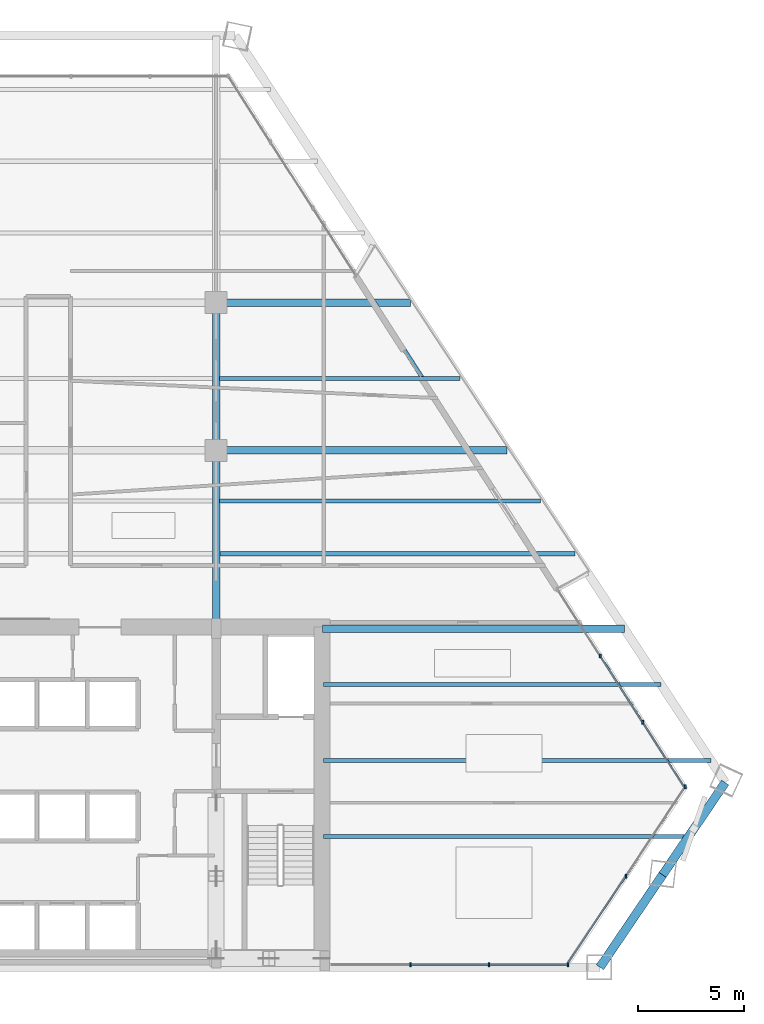
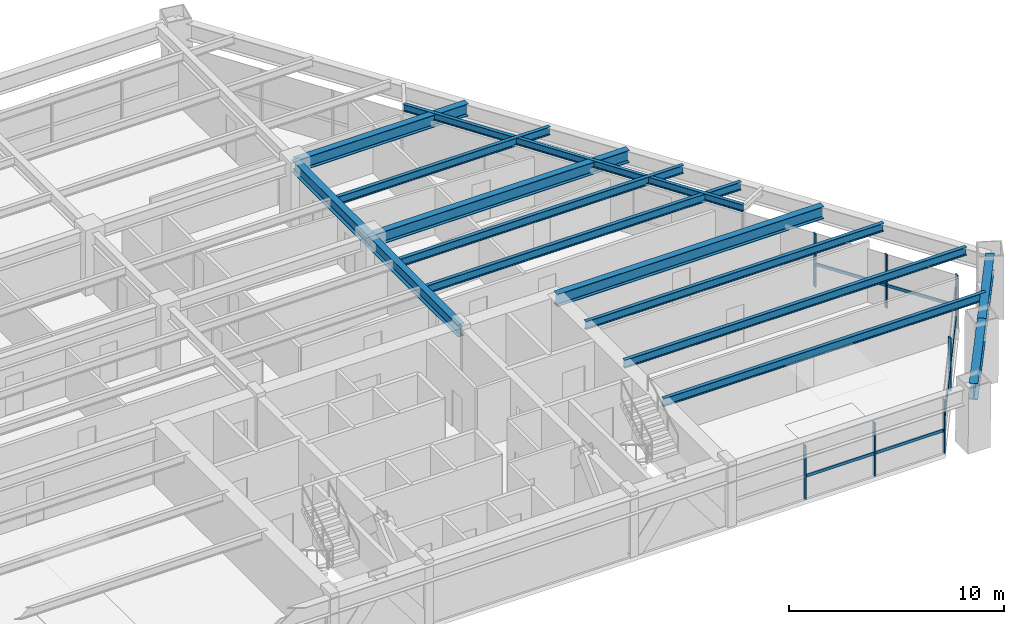
# One storey, part 6 of 14: 14 beams, 13 members, 3 elements without a shape of their own.
"""IFC4 building model written with IfcOpenShell, lengths in metres."""

from ifc_helpers import new_model, si_unit, direction, frame, origin, origin_2d, place, context, subcontext, project, spatial, rectangle, i_section, extrude, source, transform, mapped, material, material_profile, profile_set, type_object, type_shapes, element, aggregate, save


model = new_model("IFC4")

# Units and contexts
model_context = context("Model", 3, precision=1e-05, world=origin(), true_north=direction((0.0, 1.0)))
body_context = subcontext(model_context, "Body", "Model", "MODEL_VIEW")
ifc_project = project(units=[si_unit("LENGTHUNIT", "METRE"), si_unit("AREAUNIT", "SQUARE_METRE"), si_unit("VOLUMEUNIT", "CUBIC_METRE"), si_unit("PLANEANGLEUNIT", "RADIAN"), si_unit("MASSUNIT", "GRAM", prefix="KILO")], contexts=[model_context])

# Site, building, storey
site_placement = place(None, origin())
site = spatial("IfcSite", under=ifc_project, at=site_placement, CompositionType="ELEMENT")
building_placement = place(site_placement, origin())
building = spatial("IfcBuilding", under=site, at=building_placement, Name="Varnakhor Terracotta Tower", CompositionType="ELEMENT")
storey_placement = place(building_placement, frame((0.0, 0.0, 113.60009765625)))
storey = spatial("IfcBuildingStorey", under=building, at=storey_placement, Name="L28", CompositionType="ELEMENT", Elevation=113.60009765625)

# Beams
ifc_material_1 = material(Name="Steel S355", Category="steel")
ifc_material_profile_1 = material_profile(ifc_material_1, i_section(OverallWidth=0.35498046875, OverallDepth=0.695068359375, WebThickness=0.014892578125, FlangeThickness=0.02490234375, FilletRadius=0.01806640625, at=origin_2d()), Name="W27X146")
ifc_profile_set_1 = profile_set([ifc_material_profile_1], Name="Steel S355")
beam_type_1 = type_object("IfcBeamType", Name="BM-W27X146", PredefinedType="BEAM", material=ifc_profile_set_1)
shared_shape_1 = source(origin(), body_context, "Body", "SweptSolid", [
    extrude(i_section(OverallWidth=0.35498046875, OverallDepth=0.695068359375, WebThickness=0.014892578125, FlangeThickness=0.02490234375, FilletRadius=0.01806640625, at=origin_2d()), origin(), (0.0, 0.0, 1.0), 8.449951171875),
])
type_shapes(beam_type_1, [shared_shape_1])
beam_1_placement = place(storey_placement, frame((5.5, 16.050048828125, 3.102294921875), z_axis=(0.0, 1.0, 0.0), x_axis=(-1.0, 0.0, 0.0)))
element("IfcBeam", 1, at=beam_1_placement, inside=storey, type_object=beam_type_1, Name="L28 Primary Girder NS1-E", PredefinedType="BEAM", context=body_context, shape_type="MappedRepresentation", body=[
    mapped(shared_shape_1, transform((0.0, 0.0, 0.0), scale=1.0)),
])
shared_shape_2 = source(origin(), body_context, "Body", "SweptSolid", [
    extrude(i_section(OverallWidth=0.35498046875, OverallDepth=0.695068359375, WebThickness=0.014892578125, FlangeThickness=0.02490234375, FilletRadius=0.01806640625, at=origin_2d()), origin(), (0.0, 0.0, 1.0), 7.0),
])
beam_2_placement = place(storey_placement, frame((5.5, 24.5, 3.102294921875), z_axis=(0.0, 1.0, 0.0), x_axis=(-1.0, 0.0, 0.0)))
element("IfcBeam", 2, at=beam_2_placement, inside=storey, type_object=beam_type_1, Name="L28 Primary Girder NS2-E", PredefinedType="BEAM", context=body_context, shape_type="MappedRepresentation", body=[
    mapped(shared_shape_2, transform((0.0, 0.0, 0.0), scale=1.0)),
])
ifc_material_profile_2 = material_profile(ifc_material_1, i_section(OverallWidth=0.41796875, OverallDepth=0.927001953125, WebThickness=0.01904296875, FlangeThickness=0.031982421875, FilletRadius=0.01806640625, at=origin_2d()), Name="W36X231")
ifc_profile_set_2 = profile_set([ifc_material_profile_2], Name="Steel S355")
beam_type_2 = type_object("IfcBeamType", Name="BM-W36X231", PredefinedType="BEAM", material=ifc_profile_set_2)
shared_shape_3 = source(origin(), body_context, "Body", "SweptSolid", [
    extrude(i_section(OverallWidth=0.41796875, OverallDepth=0.927001953125, WebThickness=0.01904296875, FlangeThickness=0.031982421875, FilletRadius=0.01806640625, at=origin_2d()), origin(), (0.0, 0.0, 1.0), 5.2919921875),
])
for number, where, z_axis, x_axis, name in (
    (3, (23.689208984375, 0.0, 2.986328125), (0.561209193584, 0.827673994418, 0.0), (-0.827673994418, 0.561209193584, 0.0), "L28 Perimeter Spandrel 2"),
    (4, (26.6591796875, 4.380126953125, 2.986328125), (0.561177589141, 0.827695423115, 0.0), (-0.827695423115, 0.561177589141, 0.0), "L28 Perimeter Spandrel 3"),
):
    element("IfcBeam", number, at=place(storey_placement, frame(where, z_axis=z_axis, x_axis=x_axis)), inside=storey, type_object=beam_type_2, Name=name, PredefinedType="BEAM", context=body_context, shape_type="MappedRepresentation", body=[
        mapped(shared_shape_3, transform((0.0, 0.0, 0.0), scale=1.0)),
    ])
ifc_material_profile_3 = material_profile(ifc_material_1, i_section(OverallWidth=0.179931640625, OverallDepth=0.39990234375, WebThickness=0.008544921875, FlangeThickness=0.013427734375, FilletRadius=0.01806640625, at=origin_2d()), Name="IPE400")
ifc_profile_set_3 = profile_set([ifc_material_profile_3], Name="Steel S355")
beam_type_3 = type_object("IfcBeamType", Name="JST-IPE400", PredefinedType="JOIST", material=ifc_profile_set_3)
shared_shape_4 = source(origin(), body_context, "Body", "SweptSolid", [
    extrude(i_section(OverallWidth=0.179931640625, OverallDepth=0.39990234375, WebThickness=0.008544921875, FlangeThickness=0.013427734375, FilletRadius=0.01806640625, at=origin_2d()), origin(), (0.0, 0.0, 1.0), 17.7421875),
])
beam_3_placement = place(storey_placement, frame((21.69970703125, 17.91064453125, 3.25), z_axis=(-0.539618599687, 0.841909595427, 0.0), x_axis=(-0.841909595427, -0.539618599687, 0.0)))
element("IfcBeam", 5, at=beam_3_placement, inside=storey, type_object=beam_type_3, Name="L28 Loggia Edge Beam 1", PredefinedType="JOIST", context=body_context, shape_type="MappedRepresentation", body=[
    mapped(shared_shape_4, transform((0.0, 0.0, 0.0), scale=1.0)),
])
shared_shape_5 = source(origin(), body_context, "Body", "SweptSolid", [
    extrude(i_section(OverallWidth=0.35498046875, OverallDepth=0.695068359375, WebThickness=0.014892578125, FlangeThickness=0.02490234375, FilletRadius=0.01806640625, at=origin_2d()), origin(), (0.0, 0.0, 1.0), 14.29345703125),
])
beam_4_placement = place(storey_placement, frame((10.550048828125, 16.050048828125, 3.102294921875), z_axis=(1.0, 0.0, 0.0), x_axis=(0.0, 1.0, 0.0)))
element("IfcBeam", 6, at=beam_4_placement, inside=storey, type_object=beam_type_1, Name="L28 Wing Girder E", PredefinedType="BEAM", context=body_context, shape_type="MappedRepresentation", body=[
    mapped(shared_shape_5, transform((0.0, 0.0, 0.0), scale=1.0)),
])
shared_shape_6 = source(origin(), body_context, "Body", "SweptSolid", [
    extrude(i_section(OverallWidth=0.35498046875, OverallDepth=0.695068359375, WebThickness=0.014892578125, FlangeThickness=0.02490234375, FilletRadius=0.01806640625, at=origin_2d()), origin(), (0.0, 0.0, 1.0), 13.796630859375),
])
beam_5_placement = place(storey_placement, frame((5.5, 24.5, 3.102294921875), z_axis=(1.0, 0.0, 0.0), x_axis=(0.0, 1.0, 0.0)))
element("IfcBeam", 7, at=beam_5_placement, inside=storey, type_object=beam_type_1, Name="L28 Primary Girder EW2-3", PredefinedType="BEAM", context=body_context, shape_type="MappedRepresentation", body=[
    mapped(shared_shape_6, transform((0.0, 0.0, 0.0), scale=1.0)),
])
shared_shape_7 = source(origin(), body_context, "Body", "SweptSolid", [
    extrude(i_section(OverallWidth=0.35498046875, OverallDepth=0.695068359375, WebThickness=0.014892578125, FlangeThickness=0.02490234375, FilletRadius=0.01806640625, at=origin_2d()), origin(), (0.0, 0.0, 1.0), 9.201416015625),
])
beam_6_placement = place(storey_placement, frame((5.5, 31.5, 3.102294921875), z_axis=(1.0, 0.0, 0.0), x_axis=(0.0, 1.0, 0.0)))
element("IfcBeam", 8, at=beam_6_placement, inside=storey, type_object=beam_type_1, Name="L28 Primary Girder EW3-3", PredefinedType="BEAM", context=body_context, shape_type="MappedRepresentation", body=[
    mapped(shared_shape_7, transform((0.0, 0.0, 0.0), scale=1.0)),
])
ifc_material_profile_4 = material_profile(ifc_material_1, i_section(OverallWidth=0.19189453125, OverallDepth=0.462890625, WebThickness=0.010498046875, FlangeThickness=0.017578125, FilletRadius=0.01806640625, at=origin_2d()), Name="W18X60")
ifc_profile_set_4 = profile_set([ifc_material_profile_4], Name="Steel S355")
beam_type_4 = type_object("IfcBeamType", Name="JST-W18X60", PredefinedType="JOIST", material=ifc_profile_set_4)
shared_shape_8 = source(origin(), body_context, "Body", "SweptSolid", [
    extrude(i_section(OverallWidth=0.19189453125, OverallDepth=0.462890625, WebThickness=0.010498046875, FlangeThickness=0.017578125, FilletRadius=0.01806640625, at=origin_2d()), origin(), (0.0, 0.0, 1.0), 17.29296875),
])
beam_7_placement = place(storey_placement, frame((10.60009765625, 6.199951171875, 3.218505859375), z_axis=(1.0, 0.0, 0.0), x_axis=(0.0, 1.0, 0.0)))
element("IfcBeam", 9, at=beam_7_placement, inside=storey, type_object=beam_type_4, Name="L28 Floor Joist E1", PredefinedType="JOIST", context=body_context, shape_type="MappedRepresentation", body=[
    mapped(shared_shape_8, transform((0.0, 0.0, 0.0), scale=1.0)),
])
shared_shape_9 = source(origin(), body_context, "Body", "SweptSolid", [
    extrude(i_section(OverallWidth=0.19189453125, OverallDepth=0.462890625, WebThickness=0.010498046875, FlangeThickness=0.017578125, FilletRadius=0.01806640625, at=origin_2d()), origin(), (0.0, 0.0, 1.0), 18.34619140625),
])
beam_8_placement = place(storey_placement, frame((10.60009765625, 9.800048828125, 3.218505859375), z_axis=(1.0, 0.0, 0.0), x_axis=(0.0, 1.0, 0.0)))
element("IfcBeam", 10, at=beam_8_placement, inside=storey, type_object=beam_type_4, Name="L28 Floor Joist E2", PredefinedType="JOIST", context=body_context, shape_type="MappedRepresentation", body=[
    mapped(shared_shape_9, transform((0.0, 0.0, 0.0), scale=1.0)),
])
shared_shape_10 = source(origin(), body_context, "Body", "SweptSolid", [
    extrude(i_section(OverallWidth=0.19189453125, OverallDepth=0.462890625, WebThickness=0.010498046875, FlangeThickness=0.017578125, FilletRadius=0.01806640625, at=origin_2d()), origin(), (0.0, 0.0, 1.0), 15.98291015625),
])
beam_9_placement = place(storey_placement, frame((10.60009765625, 13.39990234375, 3.218505859375), z_axis=(1.0, 0.0, 0.0), x_axis=(0.0, 1.0, 0.0)))
element("IfcBeam", 11, at=beam_9_placement, inside=storey, type_object=beam_type_4, Name="L28 Floor Joist E3", PredefinedType="JOIST", context=body_context, shape_type="MappedRepresentation", body=[
    mapped(shared_shape_10, transform((0.0, 0.0, 0.0), scale=1.0)),
])
shared_shape_11 = source(origin(), body_context, "Body", "SweptSolid", [
    extrude(i_section(OverallWidth=0.19189453125, OverallDepth=0.462890625, WebThickness=0.010498046875, FlangeThickness=0.017578125, FilletRadius=0.01806640625, at=origin_2d()), origin(), (0.0, 0.0, 1.0), 16.839599609375),
])
beam_10_placement = place(storey_placement, frame((5.673583984375, 19.60009765625, 3.218505859375), z_axis=(1.0, 0.0, 0.0), x_axis=(0.0, 1.0, 0.0)))
element("IfcBeam", 12, at=beam_10_placement, inside=storey, type_object=beam_type_4, Name="L28 Composite Floor Joist 4-3", PredefinedType="JOIST", context=body_context, shape_type="MappedRepresentation", body=[
    mapped(shared_shape_11, transform((0.0, 0.0, 0.0), scale=1.0)),
])
shared_shape_12 = source(origin(), body_context, "Body", "SweptSolid", [
    extrude(i_section(OverallWidth=0.19189453125, OverallDepth=0.462890625, WebThickness=0.010498046875, FlangeThickness=0.017578125, FilletRadius=0.01806640625, at=origin_2d()), origin(), (0.0, 0.0, 1.0), 15.198486328125),
])
beam_11_placement = place(storey_placement, frame((5.673583984375, 22.10009765625, 3.218505859375), z_axis=(1.0, 0.0, 0.0), x_axis=(0.0, 1.0, 0.0)))
element("IfcBeam", 13, at=beam_11_placement, inside=storey, type_object=beam_type_4, Name="L28 Composite Floor Joist 5-3", PredefinedType="JOIST", context=body_context, shape_type="MappedRepresentation", body=[
    mapped(shared_shape_12, transform((0.0, 0.0, 0.0), scale=1.0)),
])
shared_shape_13 = source(origin(), body_context, "Body", "SweptSolid", [
    extrude(i_section(OverallWidth=0.19189453125, OverallDepth=0.462890625, WebThickness=0.010498046875, FlangeThickness=0.017578125, FilletRadius=0.01806640625, at=origin_2d()), origin(), (0.0, 0.0, 1.0), 11.39111328125),
])
beam_12_placement = place(storey_placement, frame((5.673583984375, 27.89990234375, 3.218505859375), z_axis=(1.0, 0.0, 0.0), x_axis=(0.0, 1.0, 0.0)))
element("IfcBeam", 14, at=beam_12_placement, inside=storey, type_object=beam_type_4, Name="L28 Composite Floor Joist 6-3", PredefinedType="JOIST", context=body_context, shape_type="MappedRepresentation", body=[
    mapped(shared_shape_13, transform((0.0, 0.0, 0.0), scale=1.0)),
])

# Curtain wall, members
ifc_material_2 = material(Name="Anodised Aluminium Curtain Wall System", Category="aluminium")
curtain_wall_type = type_object("IfcCurtainWallType", Name="CW-SYS-LOW-OFFICE", PredefinedType="NOTDEFINED", material=ifc_material_2)
curtain_wall_1_placement = place(storey_placement, origin())
curtain_wall_1 = element("IfcCurtainWall", 15, at=curtain_wall_1_placement, inside=storey, type_object=curtain_wall_type, Name="L28 E Facet Curtain Wall 2", PredefinedType="NOTDEFINED")
ifc_material_3 = material(Name="Anodised Aluminium 6063-T6", Category="aluminium")
ifc_material_profile_5 = material_profile(ifc_material_3, rectangle(XDim=0.074951171875, YDim=0.18505859375, at=origin_2d()), Name="ALU MULLION 75x185")
ifc_profile_set_5 = profile_set([ifc_material_profile_5], Name="Anodised Aluminium 6063-T6")
member_type_1 = type_object("IfcMemberType", Name="CWM-02", PredefinedType="MULLION", material=ifc_profile_set_5)
shared_shape_14 = source(origin(), body_context, "Body", "SweptSolid", [
    extrude(rectangle(XDim=0.074951171875, YDim=0.18505859375, at=origin_2d()), origin(), (0.0, 0.0, 1.0), 3.02978515625),
])
member_1_placement = place(storey_placement, frame((23.703369140625, 14.756103515625, 0.0), z_axis=(0.0, 0.0, 1.0), x_axis=(1.0, 0.0, 0.0)))
member_1 = element("IfcMember", 16, at=member_1_placement, type_object=member_type_1, Name="L28 E Facet Curtain Wall 2 Mullion 2", PredefinedType="MULLION", context=body_context, shape_type="MappedRepresentation", body=[
    mapped(shared_shape_14, transform((0.0, 0.0, 0.0), scale=1.0)),
])
member_2_placement = place(storey_placement, frame((25.718017578125, 11.61669921875, 0.0), z_axis=(0.0, 0.0, 1.0), x_axis=(1.0, 0.0, 0.0)))
member_2 = element("IfcMember", 17, at=member_2_placement, type_object=member_type_1, Name="L28 E Facet Curtain Wall 2 Mullion 3", PredefinedType="MULLION", context=body_context, shape_type="MappedRepresentation", body=[
    mapped(shared_shape_14, transform((0.0, 0.0, 0.0), scale=1.0)),
])

curtain_wall_2_placement = place(storey_placement, origin())
curtain_wall_2 = element("IfcCurtainWall", 18, at=curtain_wall_2_placement, inside=storey, type_object=curtain_wall_type, Name="L28 Facet Curtain Wall 4", PredefinedType="NOTDEFINED")
member_3_placement = place(storey_placement, frame((27.733642578125, 8.55859375, 0.0), z_axis=(0.0, 0.0, 1.0), x_axis=(1.0, 0.0, 0.0)))
member_3 = element("IfcMember", 19, at=member_3_placement, type_object=member_type_1, Name="L28 Facet Curtain Wall 4 Mullion 1", PredefinedType="MULLION", context=body_context, shape_type="MappedRepresentation", body=[
    mapped(shared_shape_14, transform((0.0, 0.0, 0.0), scale=1.0)),
])
member_4_placement = place(storey_placement, frame((24.91748046875, 4.324951171875, 0.0), z_axis=(0.0, 0.0, 1.0), x_axis=(1.0, 0.0, 0.0)))
member_4 = element("IfcMember", 20, at=member_4_placement, type_object=member_type_1, Name="L28 Facet Curtain Wall 4 Mullion 2", PredefinedType="MULLION", context=body_context, shape_type="MappedRepresentation", body=[
    mapped(shared_shape_14, transform((0.0, 0.0, 0.0), scale=1.0)),
])

curtain_wall_3_placement = place(storey_placement, origin())
curtain_wall_3 = element("IfcCurtainWall", 21, at=curtain_wall_3_placement, inside=storey, type_object=curtain_wall_type, Name="L28 South Wing Curtain Wall SSE", PredefinedType="NOTDEFINED")
member_5_placement = place(storey_placement, frame((22.1748046875, 0.1201171875, 0.0), z_axis=(0.0, 0.0, 1.0), x_axis=(1.0, 0.0, 0.0)))
member_5 = element("IfcMember", 22, at=member_5_placement, type_object=member_type_1, Name="L28 South Wing Curtain Wall SSE Mullion 1", PredefinedType="MULLION", context=body_context, shape_type="MappedRepresentation", body=[
    mapped(shared_shape_14, transform((0.0, 0.0, 0.0), scale=1.0)),
])
member_6_placement = place(storey_placement, frame((18.43994140625, 0.1201171875, 0.0), z_axis=(0.0, 0.0, 1.0), x_axis=(1.0, 0.0, 0.0)))
member_6 = element("IfcMember", 23, at=member_6_placement, type_object=member_type_1, Name="L28 South Wing Curtain Wall SSE Mullion 2", PredefinedType="MULLION", context=body_context, shape_type="MappedRepresentation", body=[
    mapped(shared_shape_14, transform((0.0, 0.0, 0.0), scale=1.0)),
])
member_7_placement = place(storey_placement, frame((14.705078125, 0.1201171875, 0.0), z_axis=(0.0, 0.0, 1.0), x_axis=(1.0, 0.0, 0.0)))
member_7 = element("IfcMember", 24, at=member_7_placement, type_object=member_type_1, Name="L28 South Wing Curtain Wall SSE Mullion 3", PredefinedType="MULLION", context=body_context, shape_type="MappedRepresentation", body=[
    mapped(shared_shape_14, transform((0.0, 0.0, 0.0), scale=1.0)),
])

# Member
ifc_material_profile_6 = material_profile(ifc_material_3, rectangle(XDim=0.074951171875, YDim=0.1650390625, at=origin_2d()), Name="ALU TRANSOM 75x165")
ifc_profile_set_6 = profile_set([ifc_material_profile_6], Name="Anodised Aluminium 6063-T6")
member_type_2 = type_object("IfcMemberType", Name="CWT-02", PredefinedType="USERDEFINED", material=ifc_profile_set_6)
shared_shape_15 = source(origin(), body_context, "Body", "SweptSolid", [
    extrude(rectangle(XDim=0.074951171875, YDim=0.1650390625, at=origin_2d()), origin(), (0.0, 0.0, 1.0), 3.73046875),
])
member_8_placement = place(storey_placement, frame((25.718017578125, 11.61669921875, 1.2724609375), z_axis=(0.540132271647, -0.841580138267, 0.0), x_axis=(0.841580138267, 0.540132271647, 0.0)))
member_8 = element("IfcMember", 25, at=member_8_placement, type_object=member_type_2, Name="L28 E Facet Curtain Wall 2 Transom 3", ObjectType="TRANSOM", PredefinedType="USERDEFINED", context=body_context, shape_type="MappedRepresentation", body=[
    mapped(shared_shape_15, transform((0.0, 0.0, 0.0), scale=1.0)),
])

shared_shape_16 = source(origin(), body_context, "Body", "SweptSolid", [
    extrude(rectangle(XDim=0.074951171875, YDim=0.1650390625, at=origin_2d()), origin(), (0.0, 0.0, 1.0), 3.730224609375),
])
member_9_placement = place(storey_placement, frame((23.703369140625, 14.756103515625, 1.2724609375), z_axis=(0.540085916041, -0.84160988783, 0.0), x_axis=(0.84160988783, 0.540085916041, 0.0)))
member_9 = element("IfcMember", 26, at=member_9_placement, type_object=member_type_2, Name="L28 E Facet Curtain Wall 2 Transom 2", ObjectType="TRANSOM", PredefinedType="USERDEFINED", context=body_context, shape_type="MappedRepresentation", body=[
    mapped(shared_shape_16, transform((0.0, 0.0, 0.0), scale=1.0)),
])

aggregate(curtain_wall_1, [member_1, member_9, member_2, member_8])

shared_shape_17 = source(origin(), body_context, "Body", "SweptSolid", [
    extrude(rectangle(XDim=0.074951171875, YDim=0.1650390625, at=origin_2d()), origin(), (0.0, 0.0, 1.0), 3.73486328125),
])
member_10_placement = place(storey_placement, frame((22.1748046875, 0.1201171875, 1.2724609375), z_axis=(-1.0, 0.0, 0.0), x_axis=(0.0, -1.0, 0.0)))
member_10 = element("IfcMember", 27, at=member_10_placement, type_object=member_type_2, Name="L28 South Wing Curtain Wall SSE Transom 1", ObjectType="TRANSOM", PredefinedType="USERDEFINED", context=body_context, shape_type="MappedRepresentation", body=[
    mapped(shared_shape_17, transform((0.0, 0.0, 0.0), scale=1.0)),
])

member_11_placement = place(storey_placement, frame((18.43994140625, 0.1201171875, 1.2724609375), z_axis=(-1.0, 0.0, 0.0), x_axis=(0.0, -1.0, 0.0)))
member_11 = element("IfcMember", 28, at=member_11_placement, type_object=member_type_2, Name="L28 South Wing Curtain Wall SSE Transom 2", ObjectType="TRANSOM", PredefinedType="USERDEFINED", context=body_context, shape_type="MappedRepresentation", body=[
    mapped(shared_shape_17, transform((0.0, 0.0, 0.0), scale=1.0)),
])

aggregate(curtain_wall_3, [member_5, member_10, member_6, member_11, member_7])

shared_shape_18 = source(origin(), body_context, "Body", "SweptSolid", [
    extrude(rectangle(XDim=0.074951171875, YDim=0.1650390625, at=origin_2d()), origin(), (0.0, 0.0, 1.0), 5.084716796875),
])
member_12_placement = place(storey_placement, frame((27.733642578125, 8.55859375, 1.2724609375), z_axis=(-0.5538467247, -0.832618643521, 0.0), x_axis=(0.832618643521, -0.5538467247, 0.0)))
member_12 = element("IfcMember", 29, at=member_12_placement, type_object=member_type_2, Name="L28 Facet Curtain Wall 4 Transom 1", ObjectType="TRANSOM", PredefinedType="USERDEFINED", context=body_context, shape_type="MappedRepresentation", body=[
    mapped(shared_shape_18, transform((0.0, 0.0, 0.0), scale=1.0)),
])

member_13_placement = place(storey_placement, frame((24.91748046875, 4.324951171875, 1.2724609375), z_axis=(-0.553813437169, -0.832640784979, 0.0), x_axis=(0.832640784979, -0.553813437169, 0.0)))
member_13 = element("IfcMember", 30, at=member_13_placement, type_object=member_type_2, Name="L28 Facet Curtain Wall 4 Transom 2", ObjectType="TRANSOM", PredefinedType="USERDEFINED", context=body_context, shape_type="MappedRepresentation", body=[
    mapped(shared_shape_18, transform((0.0, 0.0, 0.0), scale=1.0)),
])

aggregate(curtain_wall_2, [member_3, member_12, member_4, member_13])

save(model, "model.ifc")
